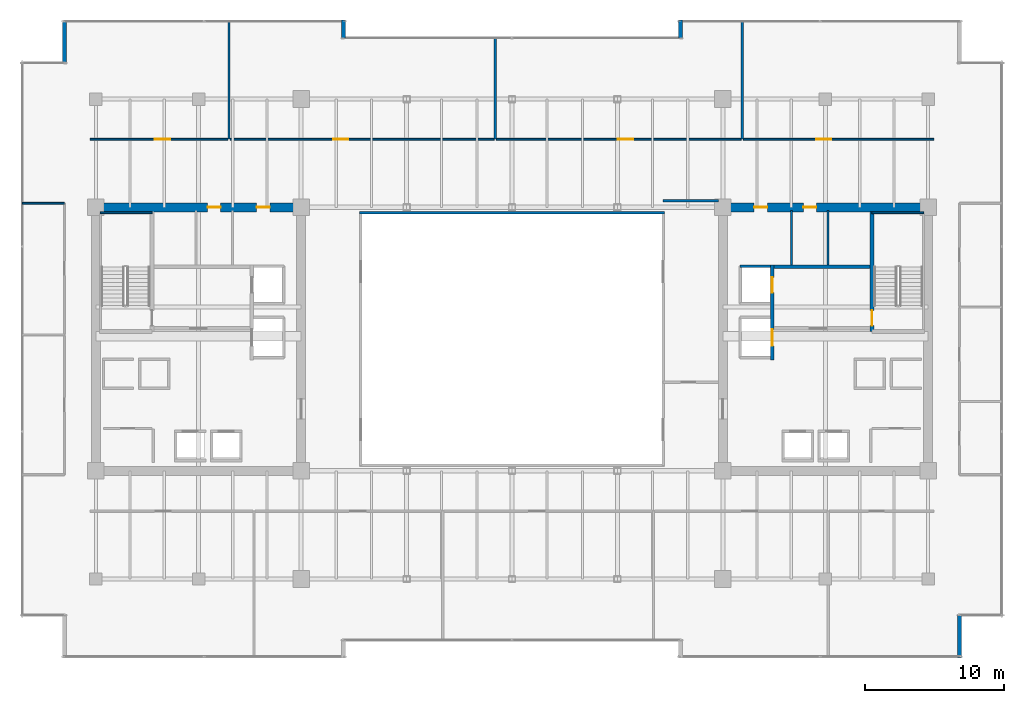
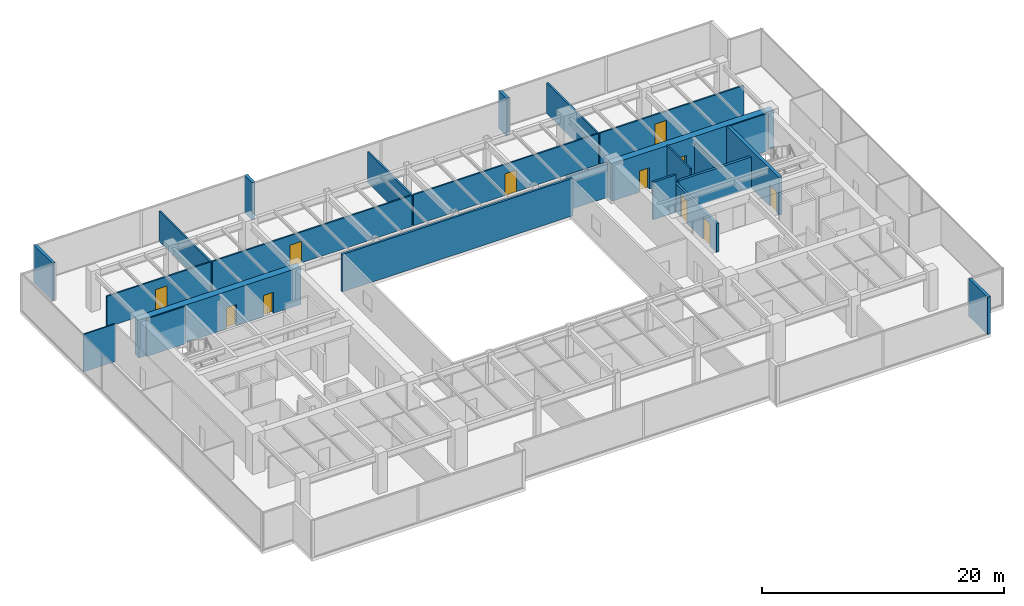
# One storey, part 27 of 30: 24 walls, 11 doors, 11 openings.
"""IFC4 building model written with IfcOpenShell, lengths in metres."""

from ifc_helpers import new_model, si_unit, direction, frame, frame_2d, origin, place, context, subcontext, project, spatial, rectangle, extrude, source, transform, mapped, material, layer, layer_set, type_object, type_shapes, element, fill, save


model = new_model("IFC4")

# Units and contexts
model_context = context("Model", 3, precision=1e-05, world=origin(), true_north=direction((0.0, 1.0)))
body_context = subcontext(model_context, "Body", "Model", "MODEL_VIEW")
ifc_project = project(units=[si_unit("LENGTHUNIT", "METRE"), si_unit("AREAUNIT", "SQUARE_METRE"), si_unit("VOLUMEUNIT", "CUBIC_METRE"), si_unit("PLANEANGLEUNIT", "RADIAN"), si_unit("MASSUNIT", "GRAM", prefix="KILO")], contexts=[model_context])

# Site, building, storey
site_placement = place(None, origin())
site = spatial("IfcSite", under=ifc_project, at=site_placement, CompositionType="ELEMENT")
building_placement = place(site_placement, origin())
building = spatial("IfcBuilding", under=site, at=building_placement, Name="Haelvirn Gate Laboratories", CompositionType="ELEMENT")
storey_placement = place(building_placement, frame((0.0, 0.0, 142.0)))
storey = spatial("IfcBuildingStorey", under=building, at=storey_placement, Name="L34", CompositionType="ELEMENT", Elevation=142.0)

# Walls
ifc_material_1 = material(Name="Thermally-broken bronze aluminium rainscreen & mineral wool", Category="aluminium")
ifc_layer_1 = layer(ifc_material_1, 0.280029296875, Name="EW-TERR-280")
ifc_layer_set_1 = layer_set([ifc_layer_1], Name="Thermally-broken bronze aluminium rainscreen & mineral wool")
wall_type_1 = type_object("IfcWallType", Name="EW-TERR-280", PredefinedType="STANDARD", material=ifc_layer_set_1)
wall_1_placement = place(storey_placement, frame((69.659912109375, 1.300048828125, 0.0), z_axis=(0.0, 0.0, 1.0), x_axis=(0.0, 1.0, 0.0)))
element("IfcWall", 1, at=wall_1_placement, inside=storey, type_object=wall_type_1, Name="L34 Atrium Recess Bronze Return Wall 05", PredefinedType="STANDARD", context=body_context, shape_type="SweptSolid", body=[
    extrude(rectangle(XDim=3.087890625, YDim=0.280029296875, at=frame_2d((1.5439453125, 0.0))), origin(), (0.0, 0.0, 1.0), 3.7900390625),
])
for number, where, z_axis, x_axis, name in (
    (2, (49.5400390625, 47.300048828125, 0.0), (0.0, 0.0, 1.0), (0.0, -1.0, 0.0), "L34 Atrium Recess Bronze Return Wall 11"),
    (3, (25.260009765625, 46.011962890625, 0.0), (0.0, 0.0, 1.0), (0.0, 1.0, 0.0), "L34 Atrium Recess Bronze Return Wall 13"),
):
    element("IfcWall", number, at=place(storey_placement, frame(where, z_axis=z_axis, x_axis=x_axis)), inside=storey, type_object=wall_type_1, Name=name, PredefinedType="STANDARD", context=body_context, shape_type="SweptSolid", body=[
        extrude(rectangle(XDim=1.2880859375, YDim=0.280029296875, at=frame_2d((0.64404296875, 0.0))), origin(), (0.0, 0.0, 1.0), 3.7900390625),
    ])
wall_2_placement = place(storey_placement, frame((5.139892578125, 47.300048828125, 0.0), z_axis=(0.0, 0.0, 1.0), x_axis=(0.0, -1.0, 0.0)))
element("IfcWall", 4, at=wall_2_placement, inside=storey, type_object=wall_type_1, Name="L34 Atrium Recess Bronze Return Wall 15", PredefinedType="STANDARD", context=body_context, shape_type="SweptSolid", body=[
    extrude(rectangle(XDim=3.088134765625, YDim=0.280029296875, at=frame_2d((1.5439453125, 0.0))), origin(), (0.0, 0.0, 1.0), 3.7900390625),
])
ifc_material_2 = material(Name="Double-layer acoustic gypsum laboratory partition", Category="gypsum")
ifc_layer_2 = layer(ifc_material_2, 0.159912109375, Name="IW-ACOUST-160")
ifc_layer_set_2 = layer_set([ifc_layer_2], Name="Double-layer acoustic gypsum laboratory partition")
wall_type_2 = type_object("IfcWallType", Name="IW-ACOUST-160", PredefinedType="PARTITIONING", material=ifc_layer_set_2)
wall_3_placement = place(storey_placement, frame((17.0, 38.705078125, 0.0), z_axis=(0.0, 0.0, 1.0), x_axis=(0.0, 1.0, 0.0)))
element("IfcWall", 5, at=wall_3_placement, inside=storey, type_object=wall_type_2, Name="L34 Interior Wall IW-L34-NDIV-01", PredefinedType="PARTITIONING", context=body_context, shape_type="SweptSolid", body=[
    extrude(rectangle(XDim=8.48486328125, YDim=0.159912109375, at=frame_2d((4.242431640625, 0.0))), origin(), (0.0, 0.0, 1.0), 3.074951171875),
])
wall_4_placement = place(storey_placement, frame((36.199951171875, 38.705078125, 0.0), z_axis=(0.0, 0.0, 1.0), x_axis=(0.0, 1.0, 0.0)))
element("IfcWall", 6, at=wall_4_placement, inside=storey, type_object=wall_type_2, Name="L34 Interior Wall IW-L34-NDIV-02", PredefinedType="PARTITIONING", context=body_context, shape_type="SweptSolid", body=[
    extrude(rectangle(XDim=7.284912109375, YDim=0.159912109375, at=frame_2d((3.642578125, 0.0))), origin(), (0.0, 0.0, 1.0), 3.074951171875),
])
wall_5_placement = place(storey_placement, frame((54.0, 38.705078125, 0.0), z_axis=(0.0, 0.0, 1.0), x_axis=(0.0, 1.0, 0.0)))
element("IfcWall", 7, at=wall_5_placement, inside=storey, type_object=wall_type_2, Name="L34 Interior Wall IW-L34-NDIV-03", PredefinedType="PARTITIONING", context=body_context, shape_type="SweptSolid", body=[
    extrude(rectangle(XDim=8.48486328125, YDim=0.159912109375, at=frame_2d((4.242431640625, 0.0))), origin(), (0.0, 0.0, 1.0), 3.074951171875),
])
ifc_material_3 = material(Name="Fire-rated acoustic gypsum board partition", Category="gypsum")
ifc_layer_3 = layer(ifc_material_3, 0.175048828125, Name="IW-ACOUST-180")
ifc_layer_set_3 = layer_set([ifc_layer_3], Name="Fire-rated acoustic gypsum board partition")
wall_type_3 = type_object("IfcWallType", Name="IW-ACOUST-180", PredefinedType="PARTITIONING", material=ifc_layer_set_3)
wall_6_placement = place(storey_placement, frame((48.300048828125, 34.260009765625, 0.0), z_axis=(0.0, 0.0, 1.0), x_axis=(1.0, 0.0, 0.0)))
element("IfcWall", 8, at=wall_6_placement, inside=storey, type_object=wall_type_3, Name="L34 Interior Wall IW-L34-ASEM-N", PredefinedType="PARTITIONING", context=body_context, shape_type="SweptSolid", body=[
    extrude(rectangle(XDim=3.974853515625, YDim=0.175048828125, at=frame_2d((1.9873046875, 0.0))), origin(), (0.0, 0.0, 1.0), 3.47509765625),
])
ifc_material_4 = material(Name="Tempered fire-rated borosilicate glass & anodised aluminium", Category="aluminium")
ifc_layer_4 = layer(ifc_material_4, 0.195068359375, Name="IW-GLAZ-200")
ifc_layer_set_4 = layer_set([ifc_layer_4], Name="Tempered fire-rated borosilicate glass & anodised aluminium")
wall_type_4 = type_object("IfcWallType", Name="IW-GLAZ-200", PredefinedType="SOLIDWALL", material=ifc_layer_set_4)
wall_7_placement = place(storey_placement, frame((26.39990234375, 33.39990234375, 0.0), z_axis=(0.0, 0.0, 1.0), x_axis=(1.0, 0.0, 0.0)))
element("IfcWall", 9, at=wall_7_placement, inside=storey, type_object=wall_type_4, Name="L34 Interior Wall IW-L34-ATRIUM-N", PredefinedType="SOLIDWALL", context=body_context, shape_type="SweptSolid", body=[
    extrude(rectangle(XDim=22.0, YDim=0.195068359375, at=frame_2d((11.0, 0.0))), origin(), (0.0, 0.0, 1.0), 3.7900390625),
])
ifc_material_5 = material(Name="Lightweight acoustic gypsum board partition", Category="gypsum")
ifc_layer_5 = layer(ifc_material_5, 0.1201171875, Name="IW-PART-120")
ifc_layer_set_5 = layer_set([ifc_layer_5], Name="Lightweight acoustic gypsum board partition")
wall_type_5 = type_object("IfcWallType", Name="IW-PART-120", PredefinedType="PARTITIONING", material=ifc_layer_set_5)
wall_8_placement = place(storey_placement, frame((2.110107421875, 34.0849609375, 0.0), z_axis=(0.0, 0.0, 1.0), x_axis=(1.0, 0.0, 0.0)))
element("IfcWall", 10, at=wall_8_placement, inside=storey, type_object=wall_type_5, Name="L34 Interior Wall IW-L34-WCAP-N", PredefinedType="PARTITIONING", context=body_context, shape_type="SweptSolid", body=[
    extrude(rectangle(XDim=3.019775390625, YDim=0.1201171875, at=frame_2d((1.509765625, 0.0))), origin(), (0.0, 0.0, 1.0), 3.7900390625),
])

# Wall, opening, door
ifc_material_6 = material(Name="Acoustic mineral-wool gypsum board partition", Category="gypsum")
ifc_layer_6 = layer(ifc_material_6, 0.139892578125, Name="IW-PART-140")
ifc_layer_set_6 = layer_set([ifc_layer_6], Name="Acoustic mineral-wool gypsum board partition")
wall_type_6 = type_object("IfcWallType", Name="IW-PART-140", PredefinedType="PARTITIONING", material=ifc_layer_set_6)
wall_9_placement = place(storey_placement, frame((6.97998046875, 38.705078125, 0.0), z_axis=(0.0, 0.0, 1.0), x_axis=(1.0, 0.0, 0.0)))
wall_9 = element("IfcWall", 11, at=wall_9_placement, inside=storey, type_object=wall_type_6, Name="L34 Interior Wall IW-L34-NCORR-01", PredefinedType="PARTITIONING", context=body_context, shape_type="SweptSolid", body=[
    extrude(rectangle(XDim=9.93994140625, YDim=0.139892578125, at=frame_2d((4.969970703125, 0.0))), origin(), (0.0, 0.0, 1.0), 3.125),
])
opening_1_placement = place(wall_9_placement, frame((4.664306640625, 0.0, 0.0)))
opening_1 = element("IfcOpeningElement", 12, at=opening_1_placement, cuts=wall_9, Name="Opening D1", PredefinedType="OPENING", context=body_context, shape_type="SweptSolid", body=[
    extrude(rectangle(XDim=1.10009765625, YDim=2.179931640625, at=frame_2d((0.550048828125, 1.08984375))), frame((0.0, 0.080078125, 0.0), z_axis=(0.0, -1.0, 0.0), x_axis=(1.0, 0.0, 0.0)), (0.0, 0.0, 1.0), 0.159912109375),
])
ifc_material_7 = material(Name="Vision-panel acoustic solid-core timber lab door", Category="wood")
door_type_1 = type_object("IfcDoorType", Name="DR-LAB-1100", OperationType="NOTDEFINED", PredefinedType="DOOR", material=ifc_material_7)
shared_shape_1 = source(origin(), body_context, "Body", "SweptSolid", [
    extrude(rectangle(XDim=1.10009765625, YDim=2.179931640625, at=frame_2d((0.550048828125, 1.08984375))), frame((0.0, 0.02490234375, 0.0), z_axis=(0.0, -1.0, 0.0), x_axis=(1.0, 0.0, 0.0)), (0.0, 0.0, 1.0), 0.050048828125),
])
type_shapes(door_type_1, [shared_shape_1])
door_1_placement = place(opening_1_placement, origin())
door_1 = element("IfcDoor", 13, at=door_1_placement, inside=storey, type_object=door_type_1, Name="L34 Colloquium Conference Room Door N1", OperationType="SINGLE_SWING_RIGHT", OverallHeight=2.179931640625, OverallWidth=1.10009765625, PredefinedType="DOOR", context=body_context, shape_type="MappedRepresentation", body=[
    mapped(shared_shape_1, transform((0.0, 0.0, 0.0), scale=1.0)),
])
fill(opening_1, door_1)

wall_10_placement = place(storey_placement, frame((17.080078125, 38.705078125, 0.0), z_axis=(0.0, 0.0, 1.0), x_axis=(1.0, 0.0, 0.0)))
wall_10 = element("IfcWall", 14, at=wall_10_placement, inside=storey, type_object=wall_type_6, Name="L34 Interior Wall IW-L34-NCORR-02", PredefinedType="PARTITIONING", context=body_context, shape_type="SweptSolid", body=[
    extrude(rectangle(XDim=19.0400390625, YDim=0.139892578125, at=frame_2d((9.52001953125, 0.0))), origin(), (0.0, 0.0, 1.0), 3.125),
])
opening_2_placement = place(wall_10_placement, frame((7.41845703125, 0.0, 0.0)))
opening_2 = element("IfcOpeningElement", 15, at=opening_2_placement, cuts=wall_10, Name="Opening D1", PredefinedType="OPENING", context=body_context, shape_type="SweptSolid", body=[
    extrude(rectangle(XDim=1.10009765625, YDim=2.179931640625, at=frame_2d((0.550048828125, 1.08984375))), frame((0.0, 0.080078125, 0.0), z_axis=(0.0, -1.0, 0.0), x_axis=(1.0, 0.0, 0.0)), (0.0, 0.0, 1.0), 0.159912109375),
])
door_2_placement = place(opening_2_placement, origin())
door_2 = element("IfcDoor", 16, at=door_2_placement, inside=storey, type_object=door_type_1, Name="L34 Cryo-EM Imaging Suite Door N2", OperationType="SINGLE_SWING_LEFT", OverallHeight=2.179931640625, OverallWidth=1.10009765625, PredefinedType="DOOR", context=body_context, shape_type="MappedRepresentation", body=[
    mapped(shared_shape_1, transform((0.0, 0.0, 0.0), scale=1.0)),
])
fill(opening_2, door_2)

wall_11_placement = place(storey_placement, frame((36.280029296875, 38.705078125, 0.0), z_axis=(0.0, 0.0, 1.0), x_axis=(1.0, 0.0, 0.0)))
wall_11 = element("IfcWall", 17, at=wall_11_placement, inside=storey, type_object=wall_type_6, Name="L34 Interior Wall IW-L34-NCORR-03", PredefinedType="PARTITIONING", context=body_context, shape_type="SweptSolid", body=[
    extrude(rectangle(XDim=17.639892578125, YDim=0.139892578125, at=frame_2d((8.81982421875, 0.0))), origin(), (0.0, 0.0, 1.0), 3.125),
])
opening_3_placement = place(wall_11_placement, frame((8.7451171875, 0.0, 0.0)))
opening_3 = element("IfcOpeningElement", 18, at=opening_3_placement, cuts=wall_11, Name="Opening D1", PredefinedType="OPENING", context=body_context, shape_type="SweptSolid", body=[
    extrude(rectangle(XDim=1.10009765625, YDim=2.179931640625, at=frame_2d((0.550048828125, 1.08984375))), frame((0.0, 0.080078125, 0.0), z_axis=(0.0, -1.0, 0.0), x_axis=(1.0, 0.0, 0.0)), (0.0, 0.0, 1.0), 0.159912109375),
])
door_3_placement = place(opening_3_placement, origin())
door_3 = element("IfcDoor", 19, at=door_3_placement, inside=storey, type_object=door_type_1, Name="L34 Analytical Instrument Suite Door N3", OperationType="SINGLE_SWING_RIGHT", OverallHeight=2.179931640625, OverallWidth=1.10009765625, PredefinedType="DOOR", context=body_context, shape_type="MappedRepresentation", body=[
    mapped(shared_shape_1, transform((0.0, 0.0, 0.0), scale=1.0)),
])
fill(opening_3, door_3)

wall_12_placement = place(storey_placement, frame((54.080078125, 38.705078125, 0.0), z_axis=(0.0, 0.0, 1.0), x_axis=(1.0, 0.0, 0.0)))
wall_12 = element("IfcWall", 20, at=wall_12_placement, inside=storey, type_object=wall_type_6, Name="L34 Interior Wall IW-L34-NCORR-04", PredefinedType="PARTITIONING", context=body_context, shape_type="SweptSolid", body=[
    extrude(rectangle(XDim=13.739990234375, YDim=0.139892578125, at=frame_2d((6.8701171875, 0.0))), origin(), (0.0, 0.0, 1.0), 3.125),
])
opening_4_placement = place(wall_12_placement, frame((5.245361328125, 0.0, 0.0)))
opening_4 = element("IfcOpeningElement", 21, at=opening_4_placement, cuts=wall_12, Name="Opening D1", PredefinedType="OPENING", context=body_context, shape_type="SweptSolid", body=[
    extrude(rectangle(XDim=1.10009765625, YDim=2.179931640625, at=frame_2d((0.550048828125, 1.08984375))), frame((0.0, 0.080078125, 0.0), z_axis=(0.0, -1.0, 0.0), x_axis=(1.0, 0.0, 0.0)), (0.0, 0.0, 1.0), 0.159912109375),
])
door_4_placement = place(opening_4_placement, origin())
door_4 = element("IfcDoor", 22, at=door_4_placement, inside=storey, type_object=door_type_1, Name="L34 Floor Hydration & Tea Servery Door N4", OperationType="SINGLE_SWING_LEFT", OverallHeight=2.179931640625, OverallWidth=1.10009765625, PredefinedType="DOOR", context=body_context, shape_type="MappedRepresentation", body=[
    mapped(shared_shape_1, transform((0.0, 0.0, 0.0), scale=1.0)),
])
fill(opening_4, door_4)

# Walls
ifc_material_8 = material(Name="Cement-board restroom plumbing chase wall", Category="gypsum")
ifc_layer_7 = layer(ifc_material_8, 0.155029296875, Name="IW-PLUMB-160")
ifc_layer_set_7 = layer_set([ifc_layer_7], Name="Cement-board restroom plumbing chase wall")
wall_type_7 = type_object("IfcWallType", Name="IW-PLUMB-160", PredefinedType="PLUMBINGWALL", material=ifc_layer_set_7)
wall_13_placement = place(storey_placement, frame((60.18994140625, 29.64990234375, 0.0), z_axis=(0.0, 0.0, 1.0), x_axis=(0.0, 1.0, 0.0)))
element("IfcWall", 23, at=wall_13_placement, inside=storey, type_object=wall_type_7, Name="L34 Interior Wall IW-L34-E-CDIV-0", PredefinedType="PLUMBINGWALL", context=body_context, shape_type="SweptSolid", body=[
    extrude(rectangle(XDim=3.93017578125, YDim=0.155029296875, at=frame_2d((1.965087890625, 0.0))), origin(), (0.0, 0.0, 1.0), 3.125),
])
wall_14_placement = place(storey_placement, frame((57.56005859375, 29.64990234375, 0.0), z_axis=(0.0, 0.0, 1.0), x_axis=(0.0, 1.0, 0.0)))
element("IfcWall", 24, at=wall_14_placement, inside=storey, type_object=wall_type_7, Name="L34 Interior Wall IW-L34-E-CDIV-1", PredefinedType="PLUMBINGWALL", context=body_context, shape_type="SweptSolid", body=[
    extrude(rectangle(XDim=3.93017578125, YDim=0.155029296875, at=frame_2d((1.965087890625, 0.0))), origin(), (0.0, 0.0, 1.0), 3.7900390625),
])
ifc_material_9 = material(Name="Concrete C40/50", Category="concrete")
ifc_layer_8 = layer(ifc_material_9, 0.199951171875, Name="IW-SHAFT-200")
ifc_layer_set_8 = layer_set([ifc_layer_8], Name="Concrete C40/50")
wall_type_8 = type_object("IfcWallType", Name="IW-SHAFT-200", PredefinedType="SOLIDWALL", material=ifc_layer_set_8)
wall_15_placement = place(storey_placement, frame((53.85009765625, 29.550048828125, 0.0), z_axis=(0.0, 0.0, 1.0), x_axis=(1.0, 0.0, 0.0)))
element("IfcWall", 25, at=wall_15_placement, inside=storey, type_object=wall_type_8, Name="L34 Interior Wall IW-L34-FL2-N", PredefinedType="SOLIDWALL", context=body_context, shape_type="SweptSolid", body=[
    extrude(rectangle(XDim=2.18994140625, YDim=0.199951171875, at=frame_2d((1.094970703125, 0.0))), origin(), (0.0, 0.0, 1.0), 3.7900390625),
])
ifc_layer_9 = layer(ifc_material_9, 0.239990234375, Name="IW-SHAFT-240")
ifc_layer_set_9 = layer_set([ifc_layer_9], Name="Concrete C40/50")
wall_type_9 = type_object("IfcWallType", Name="IW-SHAFT-240", PredefinedType="SOLIDWALL", material=ifc_layer_set_9)
wall_16_placement = place(storey_placement, frame((56.280029296875, 29.52001953125, 0.0), z_axis=(0.0, 0.0, 1.0), x_axis=(1.0, 0.0, 0.0)))
element("IfcWall", 26, at=wall_16_placement, inside=storey, type_object=wall_type_9, Name="L34 Interior Wall IW-L34-E-FF-N", PredefinedType="SOLIDWALL", context=body_context, shape_type="SweptSolid", body=[
    extrude(rectangle(XDim=6.919921875, YDim=0.239990234375, at=frame_2d((3.4599609375, 0.0))), origin(), (0.0, 0.0, 1.0), 3.125),
])

# Wall, openings, doors
wall_17_placement = place(storey_placement, frame((56.159912109375, 22.800048828125, 0.0), z_axis=(0.0, 0.0, 1.0), x_axis=(0.0, 1.0, 0.0)))
wall_17 = element("IfcWall", 27, at=wall_17_placement, inside=storey, type_object=wall_type_9, Name="L34 Interior Wall IW-L34-E-FF-E", PredefinedType="SOLIDWALL", context=body_context, shape_type="SweptSolid", body=[
    extrude(rectangle(XDim=6.849853515625, YDim=0.239990234375, at=frame_2d((3.4248046875, 0.0))), origin(), (0.0, 0.0, 1.0), 2.875),
])
opening_5_placement = place(wall_17_placement, frame((4.85009765625, 0.0, 0.0)))
opening_5 = element("IfcOpeningElement", 28, at=opening_5_placement, cuts=wall_17, Name="Opening LD2", PredefinedType="OPENING", context=body_context, shape_type="SweptSolid", body=[
    extrude(rectangle(XDim=1.10009765625, YDim=2.219970703125, at=frame_2d((0.550048828125, 1.10986328125))), frame((0.0, 0.1298828125, 0.0), z_axis=(0.0, -1.0, 0.0), x_axis=(1.0, 0.0, 0.0)), (0.0, 0.0, 1.0), 0.260009765625),
])
opening_6_placement = place(wall_17_placement, frame((1.0, 0.0, 0.0)))
opening_6 = element("IfcOpeningElement", 29, at=opening_6_placement, cuts=wall_17, Name="Opening LD1", PredefinedType="OPENING", context=body_context, shape_type="SweptSolid", body=[
    extrude(rectangle(XDim=1.199951171875, YDim=2.219970703125, at=frame_2d((0.60009765625, 1.10986328125))), frame((0.0, 0.1298828125, 0.0), z_axis=(0.0, -1.0, 0.0), x_axis=(1.0, 0.0, 0.0)), (0.0, 0.0, 1.0), 0.260009765625),
])
ifc_material_10 = material(Name="Bronze stainless 316L sliding lift landing door")
door_type_2 = type_object("IfcDoorType", Name="DR-LD-1100", OperationType="NOTDEFINED", PredefinedType="USERDEFINED", material=ifc_material_10)
shared_shape_2 = source(origin(), body_context, "Body", "SweptSolid", [
    extrude(rectangle(XDim=1.10009765625, YDim=2.219970703125, at=frame_2d((0.550048828125, 1.10986328125))), frame((0.0, 0.02490234375, 0.0), z_axis=(0.0, -1.0, 0.0), x_axis=(1.0, 0.0, 0.0)), (0.0, 0.0, 1.0), 0.050048828125),
])
type_shapes(door_type_2, [shared_shape_2])
door_5_placement = place(opening_5_placement, origin())
door_5 = element("IfcDoor", 30, at=door_5_placement, inside=storey, type_object=door_type_2, Name="L34 Firefighting Lift FL2 Landing Door", ObjectType="LANDING_DOOR", OperationType="SLIDING_TO_RIGHT", OverallHeight=2.219970703125, OverallWidth=1.10009765625, PredefinedType="USERDEFINED", context=body_context, shape_type="MappedRepresentation", body=[
    mapped(shared_shape_2, transform((0.0, 0.0, 0.0), scale=1.0)),
])
fill(opening_5, door_5)
ifc_material_11 = material(Name="Stainless steel 316L sliding goods landing door", Category="steel")
door_type_3 = type_object("IfcDoorType", Name="DR-LD-1200", OperationType="NOTDEFINED", PredefinedType="USERDEFINED", material=ifc_material_11)
shared_shape_3 = source(origin(), body_context, "Body", "SweptSolid", [
    extrude(rectangle(XDim=1.199951171875, YDim=2.219970703125, at=frame_2d((0.60009765625, 1.10986328125))), frame((0.0, 0.02490234375, 0.0), z_axis=(0.0, -1.0, 0.0), x_axis=(1.0, 0.0, 0.0)), (0.0, 0.0, 1.0), 0.050048828125),
])
type_shapes(door_type_3, [shared_shape_3])
door_6_placement = place(opening_6_placement, origin())
door_6 = element("IfcDoor", 31, at=door_6_placement, inside=storey, type_object=door_type_3, Name="L34 Service Lift SL2 Landing Door", ObjectType="LANDING_DOOR", OperationType="SLIDING_TO_LEFT", OverallHeight=2.219970703125, OverallWidth=1.199951171875, PredefinedType="USERDEFINED", context=body_context, shape_type="MappedRepresentation", body=[
    mapped(shared_shape_3, transform((0.0, 0.0, 0.0), scale=1.0)),
])
fill(opening_6, door_6)

ifc_material_12 = material(Name="Concrete C60/75", Category="concrete")
ifc_layer_10 = layer(ifc_material_12, 0.64990234375, Name="SW-CORE-650")
ifc_layer_set_10 = layer_set([ifc_layer_10], Name="Concrete C60/75")
wall_type_10 = type_object("IfcWallType", Name="SW-CORE-650", PredefinedType="SHEAR", material=ifc_layer_set_10)
wall_18_placement = place(storey_placement, frame((7.074951171875, 33.800048828125, 0.0), z_axis=(0.0, 0.0, 1.0), x_axis=(1.0, 0.0, 0.0)))
wall_18 = element("IfcWall", 32, at=wall_18_placement, inside=storey, type_object=wall_type_10, Name="L34 W Core Shear Wall N", PredefinedType="SHEAR", context=body_context, shape_type="SweptSolid", body=[
    extrude(rectangle(XDim=15.449951171875, YDim=0.64990234375, at=frame_2d((7.72509765625, 0.0))), origin(), (0.0, 0.0, 1.0), 3.7900390625),
])
opening_7_placement = place(wall_18_placement, frame((8.375, 0.0, 0.0)))
opening_7 = element("IfcOpeningElement", 33, at=opening_7_placement, cuts=wall_18, Name="Opening FD4", PredefinedType="OPENING", context=body_context, shape_type="SweptSolid", body=[
    extrude(rectangle(XDim=0.949951171875, YDim=2.14990234375, at=frame_2d((0.47509765625, 1.074951171875))), frame((0.0, 0.3349609375, 0.0), z_axis=(0.0, -1.0, 0.0), x_axis=(1.0, 0.0, 0.0)), (0.0, 0.0, 1.0), 0.669921875),
])
opening_8_placement = place(wall_18_placement, frame((11.9150390625, 0.0, 0.0)))
opening_8 = element("IfcOpeningElement", 34, at=opening_8_placement, cuts=wall_18, Name="Opening FD4", PredefinedType="OPENING", context=body_context, shape_type="SweptSolid", body=[
    extrude(rectangle(XDim=0.949951171875, YDim=2.14990234375, at=frame_2d((0.47509765625, 1.074951171875))), frame((0.0, 0.3349609375, 0.0), z_axis=(0.0, -1.0, 0.0), x_axis=(1.0, 0.0, 0.0)), (0.0, 0.0, 1.0), 0.669921875),
])
ifc_material_13 = material(Name="Fire-rated steel SM355 core service door", Category="steel")
door_type_4 = type_object("IfcDoorType", Name="DR-FD-950", OperationType="NOTDEFINED", PredefinedType="DOOR", material=ifc_material_13)
shared_shape_4 = source(origin(), body_context, "Body", "SweptSolid", [
    extrude(rectangle(XDim=0.949951171875, YDim=2.14990234375, at=frame_2d((0.47509765625, 1.074951171875))), frame((0.0, 0.02490234375, 0.0), z_axis=(0.0, -1.0, 0.0), x_axis=(1.0, 0.0, 0.0)), (0.0, 0.0, 1.0), 0.050048828125),
])
type_shapes(door_type_4, [shared_shape_4])
door_7_placement = place(opening_7_placement, origin())
door_7 = element("IfcDoor", 35, at=door_7_placement, inside=storey, type_object=door_type_4, Name="L34 Accessible Restroom Fire Door", OperationType="SINGLE_SWING_LEFT", OverallHeight=2.14990234375, OverallWidth=0.949951171875, PredefinedType="DOOR", context=body_context, shape_type="MappedRepresentation", body=[
    mapped(shared_shape_4, transform((0.0, 0.0, 0.0), scale=1.0)),
])
fill(opening_7, door_7)
door_8_placement = place(opening_8_placement, origin())
door_8 = element("IfcDoor", 36, at=door_8_placement, inside=storey, type_object=door_type_4, Name="L34 Staff Restroom Fire Door", OperationType="SINGLE_SWING_RIGHT", OverallHeight=2.14990234375, OverallWidth=0.949951171875, PredefinedType="DOOR", context=body_context, shape_type="MappedRepresentation", body=[
    mapped(shared_shape_4, transform((0.0, 0.0, 0.0), scale=1.0)),
])
fill(opening_8, door_8)

wall_19_placement = place(storey_placement, frame((52.27490234375, 33.800048828125, 0.0), z_axis=(0.0, 0.0, 1.0), x_axis=(1.0, 0.0, 0.0)))
wall_19 = element("IfcWall", 37, at=wall_19_placement, inside=storey, type_object=wall_type_10, Name="L34 E Core Shear Wall N", PredefinedType="SHEAR", context=body_context, shape_type="SweptSolid", body=[
    extrude(rectangle(XDim=15.4501953125, YDim=0.64990234375, at=frame_2d((7.72509765625, 0.0))), origin(), (0.0, 0.0, 1.0), 3.7900390625),
])
opening_9_placement = place(wall_19_placement, frame((6.125, 0.0, 0.0)))
opening_9 = element("IfcOpeningElement", 38, at=opening_9_placement, cuts=wall_19, Name="Opening FD4", PredefinedType="OPENING", context=body_context, shape_type="SweptSolid", body=[
    extrude(rectangle(XDim=0.949951171875, YDim=2.14990234375, at=frame_2d((0.47509765625, 1.074951171875))), frame((0.0, 0.3349609375, 0.0), z_axis=(0.0, -1.0, 0.0), x_axis=(1.0, 0.0, 0.0)), (0.0, 0.0, 1.0), 0.669921875),
])
opening_10_placement = place(wall_19_placement, frame((2.5849609375, 0.0, 0.0)))
opening_10 = element("IfcOpeningElement", 39, at=opening_10_placement, cuts=wall_19, Name="Opening FD4", PredefinedType="OPENING", context=body_context, shape_type="SweptSolid", body=[
    extrude(rectangle(XDim=0.949951171875, YDim=2.14990234375, at=frame_2d((0.47509765625, 1.074951171875))), frame((0.0, 0.3349609375, 0.0), z_axis=(0.0, -1.0, 0.0), x_axis=(1.0, 0.0, 0.0)), (0.0, 0.0, 1.0), 0.669921875),
])
door_9_placement = place(opening_9_placement, origin())
door_9 = element("IfcDoor", 40, at=door_9_placement, inside=storey, type_object=door_type_4, Name="L34 Accessible Restroom Fire Door", OperationType="SINGLE_SWING_LEFT", OverallHeight=2.14990234375, OverallWidth=0.949951171875, PredefinedType="DOOR", context=body_context, shape_type="MappedRepresentation", body=[
    mapped(shared_shape_4, transform((0.0, 0.0, 0.0), scale=1.0)),
])
fill(opening_9, door_9)
door_10_placement = place(opening_10_placement, origin())
door_10 = element("IfcDoor", 41, at=door_10_placement, inside=storey, type_object=door_type_4, Name="L34 Staff Restroom Fire Door", OperationType="SINGLE_SWING_RIGHT", OverallHeight=2.14990234375, OverallWidth=0.949951171875, PredefinedType="DOOR", context=body_context, shape_type="MappedRepresentation", body=[
    mapped(shared_shape_4, transform((0.0, 0.0, 0.0), scale=1.0)),
])
fill(opening_10, door_10)

# Walls
ifc_material_14 = material(Name="Concrete C50/60", Category="concrete")
ifc_layer_11 = layer(ifc_material_14, 0.1201171875, Name="SW-LINER-120")
ifc_layer_set_11 = layer_set([ifc_layer_11], Name="Concrete C50/60")
wall_type_11 = type_object("IfcWallType", Name="SW-LINER-120", PredefinedType="SOLIDWALL", material=ifc_layer_set_11)
for number, where, z_axis, x_axis, name in (
    (42, (7.72998046875, 33.39990234375, 0.0), (0.0, 0.0, 1.0), (1.0, 0.0, 0.0), "L34 W Core Stair Shaft Liner Wall N"),
    (43, (63.35009765625, 33.39990234375, 0.0), (0.0, 0.0, 1.0), (1.0, 0.0, 0.0), "L34 E Core Stair Shaft Liner Wall N"),
):
    element("IfcWall", number, at=place(storey_placement, frame(where, z_axis=z_axis, x_axis=x_axis)), inside=storey, type_object=wall_type_11, Name=name, PredefinedType="SOLIDWALL", context=body_context, shape_type="SweptSolid", body=[
        extrude(rectangle(XDim=3.719970703125, YDim=0.1201171875, at=frame_2d((1.85986328125, 0.0))), origin(), (0.0, 0.0, 1.0), 3.7900390625),
    ])

# Wall, opening, door
ifc_layer_12 = layer(ifc_material_14, 0.300048828125, Name="SW-STAIR-300")
ifc_layer_set_12 = layer_set([ifc_layer_12], Name="Concrete C50/60")
wall_type_12 = type_object("IfcWallType", Name="SW-STAIR-300", PredefinedType="SHEAR", material=ifc_layer_set_12)
wall_20_placement = place(storey_placement, frame((63.35009765625, 24.85009765625, 0.0), z_axis=(0.0, 0.0, 1.0), x_axis=(0.0, 1.0, 0.0)))
wall_20 = element("IfcWall", 44, at=wall_20_placement, inside=storey, type_object=wall_type_12, Name="L34 E Core Stair Shaft Structural Wall IN", PredefinedType="SHEAR", context=body_context, shape_type="SweptSolid", body=[
    extrude(rectangle(XDim=8.6298828125, YDim=0.300048828125, at=frame_2d((4.31494140625, 0.0))), origin(), (0.0, 0.0, 1.0), 3.7900390625),
])
opening_11_placement = place(wall_20_placement, frame((0.419921875, 0.0, 0.0)))
opening_11 = element("IfcOpeningElement", 45, at=opening_11_placement, cuts=wall_20, Name="Opening FD3", PredefinedType="OPENING", context=body_context, shape_type="SweptSolid", body=[
    extrude(rectangle(XDim=1.10009765625, YDim=2.14990234375, at=frame_2d((0.550048828125, 1.074951171875))), frame((0.0, 0.16015625, 0.0), z_axis=(0.0, -1.0, 0.0), x_axis=(1.0, 0.0, 0.0)), (0.0, 0.0, 1.0), 0.320068359375),
])
ifc_material_15 = material(Name="Fire-rated steel SM355 escape stair door", Category="steel")
door_type_5 = type_object("IfcDoorType", Name="DR-FD-1100", OperationType="NOTDEFINED", PredefinedType="DOOR", material=ifc_material_15)
shared_shape_5 = source(origin(), body_context, "Body", "SweptSolid", [
    extrude(rectangle(XDim=1.10009765625, YDim=2.14990234375, at=frame_2d((0.550048828125, 1.074951171875))), frame((0.0, 0.02490234375, 0.0), z_axis=(0.0, -1.0, 0.0), x_axis=(1.0, 0.0, 0.0)), (0.0, 0.0, 1.0), 0.050048828125),
])
type_shapes(door_type_5, [shared_shape_5])
door_11_placement = place(opening_11_placement, origin())
door_11 = element("IfcDoor", 46, at=door_11_placement, inside=storey, type_object=door_type_5, Name="L34 Escape Stair ST2 Fire Door", OperationType="SINGLE_SWING_RIGHT", OverallHeight=2.14990234375, OverallWidth=1.10009765625, PredefinedType="DOOR", context=body_context, shape_type="MappedRepresentation", body=[
    mapped(shared_shape_5, transform((0.0, 0.0, 0.0), scale=1.0)),
])
fill(opening_11, door_11)

save(model, "model.ifc")
